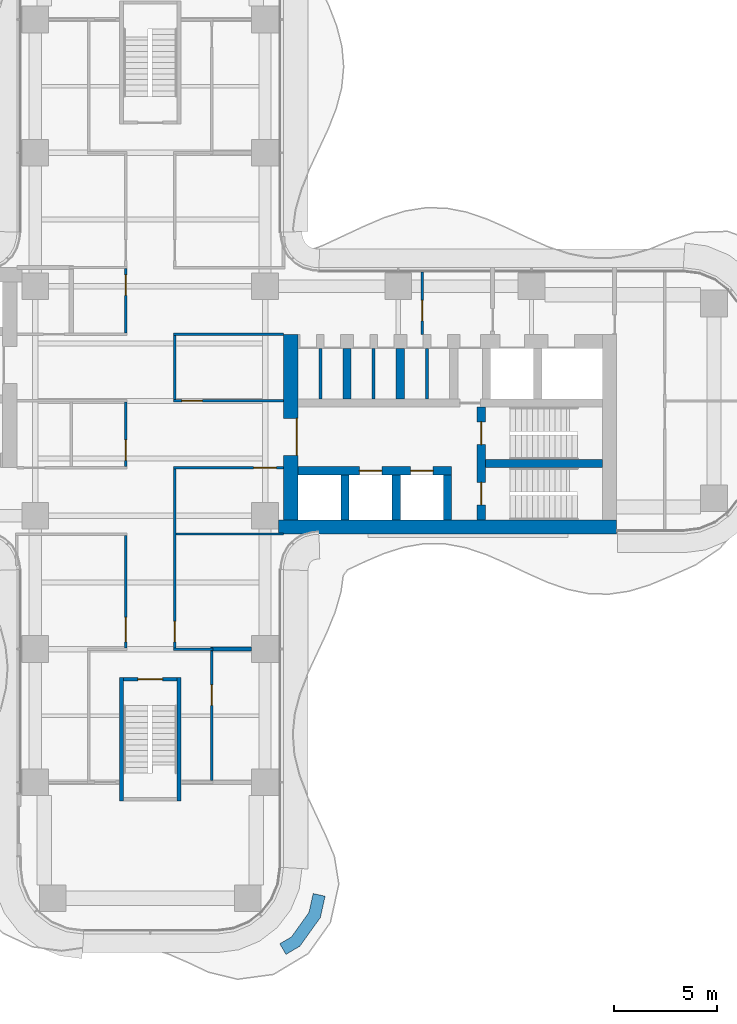
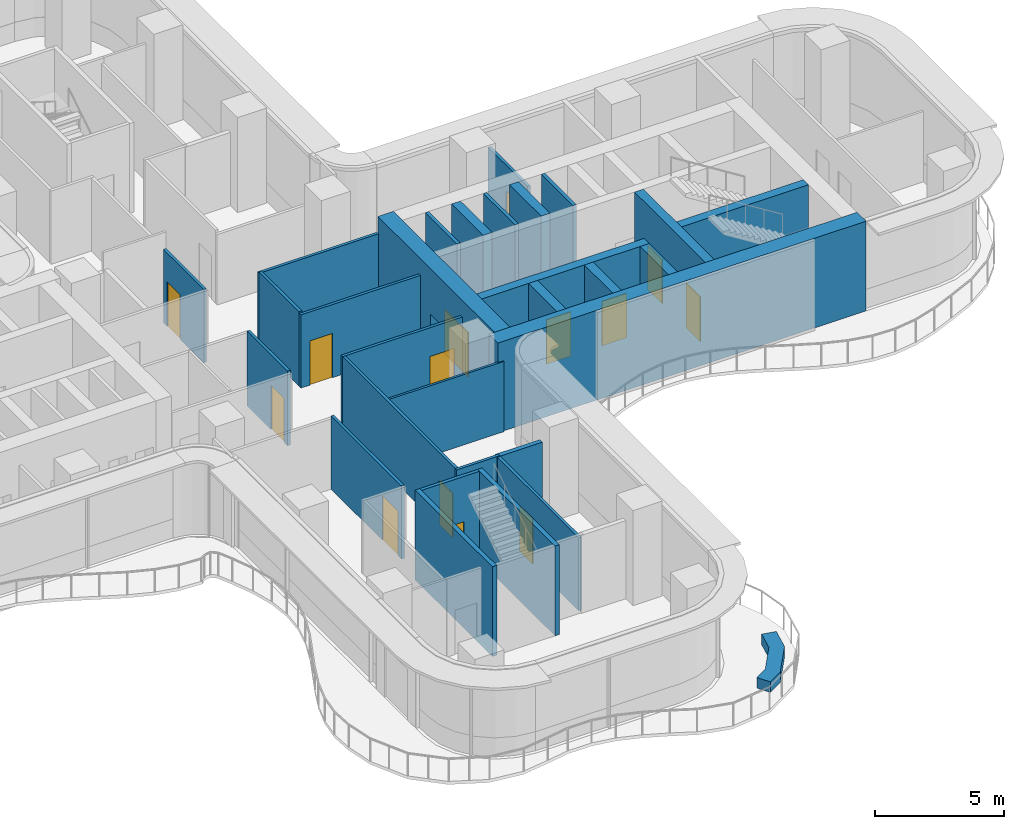
# One storey, part 16 of 20: 30 walls, 14 doors, 14 openings.
"""IFC4 building model written with IfcOpenShell, lengths in metres."""

from ifc_helpers import new_model, si_unit, direction, frame, frame_2d, origin, place, context, subcontext, project, spatial, polyline, rectangle, outline, extrude, source, transform, mapped, material, layer, layer_set, type_object, element, fill, save


model = new_model("IFC4")

# Units and contexts
model_context = context("Model", 3, precision=1e-05, world=origin(), true_north=direction((0.0, 1.0)))
body_context = subcontext(model_context, "Body", "Model", "MODEL_VIEW")
ifc_project = project(units=[si_unit("LENGTHUNIT", "METRE"), si_unit("AREAUNIT", "SQUARE_METRE"), si_unit("VOLUMEUNIT", "CUBIC_METRE"), si_unit("PLANEANGLEUNIT", "RADIAN"), si_unit("MASSUNIT", "GRAM", prefix="KILO")], contexts=[model_context])

# Site, building, storey
site_placement = place(None, origin())
site = spatial("IfcSite", under=ifc_project, at=site_placement, CompositionType="ELEMENT")
building_placement = place(site_placement, origin())
building = spatial("IfcBuilding", under=site, at=building_placement, Name="Trellis Farm Tower", CompositionType="ELEMENT")
storey_placement = place(building_placement, frame((0.0, 0.0, 142.5)))
storey = spatial("IfcBuildingStorey", under=building, at=storey_placement, Name="L30", CompositionType="ELEMENT", Elevation=142.5)

# Wall
ifc_material_1 = material(Name="Sandstone faced masonry planter", Category="masonry")
ifc_layer_1 = layer(ifc_material_1, 0.60009765625)
ifc_layer_set_1 = layer_set([ifc_layer_1], Name="PLANTER BED 600")
wall_type_1 = type_object("IfcWallType", Name="PLANTER BED 600", PredefinedType="USERDEFINED", material=ifc_layer_set_1)
wall_1_placement = place(storey_placement, origin())
element("IfcWall", 1, at=wall_1_placement, inside=storey, type_object=wall_type_1, Name="PLANTER bed", ObjectType="PLANTER", PredefinedType="USERDEFINED", context=body_context, shape_type="SweptSolid", body=[
    extrude(outline(polyline([(7.303955078125, -26.590087890625), (6.623779296875, -26.992919921875), (6.318115234375, -26.476806640625), (6.889404296875, -26.13818359375), (7.74169921875, -24.945556640625), (7.94677734375, -24.02392578125), (8.532470703125, -24.154296875), (8.30078125, -25.195068359375), (7.303955078125, -26.590087890625)])), origin(), (0.0, 0.0, 1.0), 0.5),
])

# Wall, opening, door
ifc_material_2 = material(Name="Concrete C70/85", Category="concrete")
ifc_layer_2 = layer(ifc_material_2, 0.699951171875)
ifc_layer_set_2 = layer_set([ifc_layer_2], Name="CORE OUTER WALL 700 CONCRETE C70/85")
wall_type_2 = type_object("IfcWallType", Name="CORE OUTER WALL 700 CONCRETE C70/85", PredefinedType="SHEAR", material=ifc_layer_set_2)
shared_shape_1 = source(origin(), body_context, "Body", "SweptSolid", [
    extrude(rectangle(XDim=9.050048828125, YDim=0.699951171875, at=frame_2d((4.52490234375, 0.0))), origin(), (0.0, 0.0, 1.0), 4.25),
])
wall_2_placement = place(storey_placement, frame((6.85009765625, -5.800048828125, 0.0), z_axis=(0.0, 0.0, 1.0), x_axis=(0.0, 1.0, 0.0)))
wall_2 = element("IfcWall", 2, at=wall_2_placement, inside=storey, type_object=wall_type_2, Name="Core wall", PredefinedType="SHEAR", context=body_context, shape_type="MappedRepresentation", body=[
    mapped(shared_shape_1, transform((0.0, 0.0, 0.0))),
])
shared_shape_2 = source(origin(), body_context, "Body", "SweptSolid", [
    extrude(rectangle(XDim=1.800048828125, YDim=2.10009765625, at=frame_2d((0.89990234375, 1.050048828125))), frame((0.0, 0.360107421875, 0.0), z_axis=(0.0, -1.0, 0.0), x_axis=(1.0, 0.0, 0.0)), (0.0, 0.0, 1.0), 0.72021484375),
])
opening_1_placement = place(wall_2_placement, frame((3.14990234375, 0.0, 0.0)))
opening_1 = element("IfcOpeningElement", 3, at=opening_1_placement, cuts=wall_2, Name="Opening DC1", PredefinedType="OPENING", context=body_context, shape_type="MappedRepresentation", body=[
    mapped(shared_shape_2, transform((0.0, 0.0, 0.0))),
])
ifc_material_3 = material(Name="Steel", Category="steel")
door_type_1 = type_object("IfcDoorType", Name="CORE FIRE DOOR DOUBLE 1800 X 2100", OperationType="DOUBLE_DOOR_SINGLE_SWING", PredefinedType="DOOR", material=ifc_material_3)
shared_shape_3 = source(origin(), body_context, "Body", "SweptSolid", [
    extrude(rectangle(XDim=1.800048828125, YDim=2.10009765625, at=frame_2d((0.89990234375, 1.050048828125))), frame((0.0, -0.27490234375, 0.0), z_axis=(0.0, -1.0, 0.0), x_axis=(1.0, 0.0, 0.0)), (0.0, 0.0, 1.0), 0.050048828125),
])
door_1_placement = place(opening_1_placement, origin())
door_1 = element("IfcDoor", 4, at=door_1_placement, inside=storey, type_object=door_type_1, Name="Core door", OperationType="DOUBLE_DOOR_SINGLE_SWING", OverallHeight=2.10009765625, OverallWidth=1.800048828125, PredefinedType="DOOR", context=body_context, shape_type="MappedRepresentation", body=[
    mapped(shared_shape_3, transform((0.0, 0.0, 0.0))),
])
fill(opening_1, door_1)

# Walls
ifc_layer_3 = layer(ifc_material_2, 0.39990234375)
ifc_layer_set_3 = layer_set([ifc_layer_3], Name="CORE INNER WALL 400 CONCRETE C70/85")
wall_type_3 = type_object("IfcWallType", Name="CORE INNER WALL 400 CONCRETE C70/85", PredefinedType="SHEAR", material=ifc_layer_set_3)
shared_shape_4 = source(origin(), body_context, "Body", "SweptSolid", [
    extrude(rectangle(XDim=2.199951171875, YDim=0.39990234375, at=frame_2d((1.10009765625, 0.0))), origin(), (0.0, 0.0, 1.0), 4.25),
])
for number, where, z_axis, x_axis, name in (
    (5, (9.5, -5.800048828125, 0.0), (0.0, 0.0, 1.0), (0.0, 1.0, 0.0), "Core wall"),
    (6, (12.0, -5.800048828125, 0.0), (0.0, 0.0, 1.0), (0.0, 1.0, 0.0), "Core wall"),
    (7, (14.5, -5.800048828125, 0.0), (0.0, 0.0, 1.0), (0.0, 1.0, 0.0), "Core wall"),
):
    element("IfcWall", number, at=place(storey_placement, frame(where, z_axis=z_axis, x_axis=x_axis)), inside=storey, type_object=wall_type_3, Name=name, PredefinedType="SHEAR", context=body_context, shape_type="MappedRepresentation", body=[
        mapped(shared_shape_4, transform((0.0, 0.0, 0.0))),
    ])
shared_shape_5 = source(origin(), body_context, "Body", "SweptSolid", [
    extrude(rectangle(XDim=2.449951171875, YDim=0.39990234375, at=frame_2d((1.22509765625, 0.0))), origin(), (0.0, 0.0, 1.0), 4.25),
])
for number, where, z_axis, x_axis, name in (
    (8, (9.60009765625, 0.10009765625, 0.0), (0.0, 0.0, 1.0), (0.0, 1.0, 0.0), "Core wall"),
    (9, (12.199951171875, 0.10009765625, 0.0), (0.0, 0.0, 1.0), (0.0, 1.0, 0.0), "Core wall"),
):
    element("IfcWall", number, at=place(storey_placement, frame(where, z_axis=z_axis, x_axis=x_axis)), inside=storey, type_object=wall_type_3, Name=name, PredefinedType="SHEAR", context=body_context, shape_type="MappedRepresentation", body=[
        mapped(shared_shape_5, transform((0.0, 0.0, 0.0))),
    ])

# Wall, openings, doors
shared_shape_6 = source(origin(), body_context, "Body", "SweptSolid", [
    extrude(rectangle(XDim=7.5, YDim=0.39990234375, at=frame_2d((3.75, 0.0))), origin(), (0.0, 0.0, 1.0), 4.25),
])
wall_3_placement = place(storey_placement, frame((7.199951171875, -3.39990234375, 0.0), z_axis=(0.0, 0.0, 1.0), x_axis=(1.0, 0.0, 0.0)))
wall_3 = element("IfcWall", 10, at=wall_3_placement, inside=storey, type_object=wall_type_3, Name="Core wall", PredefinedType="SHEAR", context=body_context, shape_type="MappedRepresentation", body=[
    mapped(shared_shape_6, transform((0.0, 0.0, 0.0))),
])
shared_shape_7 = source(origin(), body_context, "Body", "SweptSolid", [
    extrude(rectangle(XDim=1.10009765625, YDim=2.10009765625, at=frame_2d((0.550048828125, 1.050048828125))), frame((0.0, 0.2099609375, 0.0), z_axis=(0.0, -1.0, 0.0), x_axis=(1.0, 0.0, 0.0)), (0.0, 0.0, 1.0), 0.419921875),
])
opening_2_placement = place(wall_3_placement, frame((3.0, 0.0, 0.0)))
opening_2 = element("IfcOpeningElement", 11, at=opening_2_placement, cuts=wall_3, Name="Opening LD2", PredefinedType="OPENING", context=body_context, shape_type="MappedRepresentation", body=[
    mapped(shared_shape_7, transform((0.0, 0.0, 0.0))),
])
opening_3_placement = place(wall_3_placement, frame((5.5, 0.0, 0.0)))
opening_3 = element("IfcOpeningElement", 12, at=opening_3_placement, cuts=wall_3, Name="Opening LD3", PredefinedType="OPENING", context=body_context, shape_type="MappedRepresentation", body=[
    mapped(shared_shape_7, transform((0.0, 0.0, 0.0))),
])
ifc_material_4 = material(Name="Stainless steel", Category="steel")
door_type_2 = type_object("IfcDoorType", Name="LIFT LANDING DOOR 1100 X 2100", OperationType="DOUBLE_DOOR_SLIDING", PredefinedType="DOOR", material=ifc_material_4)
shared_shape_8 = source(origin(), body_context, "Body", "SweptSolid", [
    extrude(rectangle(XDim=1.10009765625, YDim=2.10009765625, at=frame_2d((0.550048828125, 1.050048828125))), frame((0.0, 0.02490234375, 0.0), z_axis=(0.0, -1.0, 0.0), x_axis=(1.0, 0.0, 0.0)), (0.0, 0.0, 1.0), 0.050048828125),
])
door_2_placement = place(opening_2_placement, origin())
door_2 = element("IfcDoor", 13, at=door_2_placement, inside=storey, type_object=door_type_2, Name="Lift landing door", OperationType="DOUBLE_DOOR_SLIDING", OverallHeight=2.10009765625, OverallWidth=1.10009765625, PredefinedType="DOOR", context=body_context, shape_type="MappedRepresentation", body=[
    mapped(shared_shape_8, transform((0.0, 0.0, 0.0))),
])
fill(opening_2, door_2)
door_3_placement = place(opening_3_placement, origin())
door_3 = element("IfcDoor", 14, at=door_3_placement, inside=storey, type_object=door_type_2, Name="Lift landing door", OperationType="DOUBLE_DOOR_SLIDING", OverallHeight=2.10009765625, OverallWidth=1.10009765625, PredefinedType="DOOR", context=body_context, shape_type="MappedRepresentation", body=[
    mapped(shared_shape_8, transform((0.0, 0.0, 0.0))),
])
fill(opening_3, door_3)

shared_shape_9 = source(origin(), body_context, "Body", "SweptSolid", [
    extrude(rectangle(XDim=5.5, YDim=0.39990234375, at=frame_2d((2.75, 0.0))), origin(), (0.0, 0.0, 1.0), 4.25),
])
wall_4_placement = place(storey_placement, frame((16.14990234375, -5.800048828125, 0.0), z_axis=(0.0, 0.0, 1.0), x_axis=(0.0, 1.0, 0.0)))
wall_4 = element("IfcWall", 15, at=wall_4_placement, inside=storey, type_object=wall_type_3, Name="Core wall", PredefinedType="SHEAR", context=body_context, shape_type="MappedRepresentation", body=[
    mapped(shared_shape_9, transform((0.0, 0.0, 0.0))),
])
opening_4_placement = place(wall_4_placement, frame((0.72509765625, 0.0, 0.0)))
opening_4 = element("IfcOpeningElement", 16, at=opening_4_placement, cuts=wall_4, Name="Opening DC2", PredefinedType="OPENING", context=body_context, shape_type="MappedRepresentation", body=[
    mapped(shared_shape_7, transform((0.0, 0.0, 0.0))),
])
opening_5_placement = place(wall_4_placement, frame((3.675048828125, 0.0, 0.0)))
opening_5 = element("IfcOpeningElement", 17, at=opening_5_placement, cuts=wall_4, Name="Opening DC3", PredefinedType="OPENING", context=body_context, shape_type="MappedRepresentation", body=[
    mapped(shared_shape_7, transform((0.0, 0.0, 0.0))),
])
door_type_3 = type_object("IfcDoorType", Name="CORE FIRE DOOR 1100 X 2100", OperationType="NOTDEFINED", PredefinedType="DOOR", material=ifc_material_3)
door_4_placement = place(opening_4_placement, origin())
door_4 = element("IfcDoor", 18, at=door_4_placement, inside=storey, type_object=door_type_3, Name="Core door", OperationType="SINGLE_SWING_RIGHT", OverallHeight=2.10009765625, OverallWidth=1.10009765625, PredefinedType="DOOR", context=body_context, shape_type="MappedRepresentation", body=[
    mapped(shared_shape_8, transform((0.0, 0.0, 0.0))),
])
fill(opening_4, door_4)
door_5_placement = place(opening_5_placement, origin())
door_5 = element("IfcDoor", 19, at=door_5_placement, inside=storey, type_object=door_type_3, Name="Core door", OperationType="SINGLE_SWING_LEFT", OverallHeight=2.10009765625, OverallWidth=1.10009765625, PredefinedType="DOOR", context=body_context, shape_type="MappedRepresentation", body=[
    mapped(shared_shape_8, transform((0.0, 0.0, 0.0))),
])
fill(opening_5, door_5)

# Walls
shared_shape_10 = source(origin(), body_context, "Body", "SweptSolid", [
    extrude(rectangle(XDim=5.699951171875, YDim=0.39990234375, at=frame_2d((2.85009765625, 0.0))), origin(), (0.0, 0.0, 1.0), 4.25),
])
wall_5_placement = place(storey_placement, frame((16.35009765625, -3.050048828125, 0.0), z_axis=(0.0, 0.0, 1.0), x_axis=(1.0, 0.0, 0.0)))
element("IfcWall", 20, at=wall_5_placement, inside=storey, type_object=wall_type_3, Name="Core wall", PredefinedType="SHEAR", context=body_context, shape_type="MappedRepresentation", body=[
    mapped(shared_shape_10, transform((0.0, 0.0, 0.0))),
])
ifc_material_5 = material(Name="Masonry blockwork", Category="masonry")
ifc_layer_4 = layer(ifc_material_5, 0.14990234375)
ifc_layer_set_4 = layer_set([ifc_layer_4], Name="CORE PARTITION 150 BLOCKWORK")
wall_type_4 = type_object("IfcWallType", Name="CORE PARTITION 150 BLOCKWORK", PredefinedType="PARTITIONING", material=ifc_layer_set_4)
shared_shape_11 = source(origin(), body_context, "Body", "SweptSolid", [
    extrude(rectangle(XDim=2.449951171875, YDim=0.14990234375, at=frame_2d((1.22509765625, 0.0))), origin(), (0.0, 0.0, 1.0), 4.25),
])
for number, where, z_axis, x_axis, name in (
    (21, (8.300048828125, 0.10009765625, 0.0), (0.0, 0.0, 1.0), (0.0, 1.0, 0.0), "Core room partition"),
    (22, (10.89990234375, 0.10009765625, 0.0), (0.0, 0.0, 1.0), (0.0, 1.0, 0.0), "Core room partition"),
    (23, (13.5, 0.10009765625, 0.0), (0.0, 0.0, 1.0), (0.0, 1.0, 0.0), "Core room partition"),
):
    element("IfcWall", number, at=place(storey_placement, frame(where, z_axis=z_axis, x_axis=x_axis)), inside=storey, type_object=wall_type_4, Name=name, PredefinedType="PARTITIONING", context=body_context, shape_type="MappedRepresentation", body=[
        mapped(shared_shape_11, transform((0.0, 0.0, 0.0))),
    ])
shared_shape_12 = source(origin(), body_context, "Body", "SweptSolid", [
    extrude(rectangle(XDim=16.5, YDim=0.699951171875, at=frame_2d((8.25, 0.0))), origin(), (0.0, 0.0, 1.0), 4.25),
])
wall_6_placement = place(storey_placement, frame((6.25, -6.14990234375, 0.0), z_axis=(0.0, 0.0, 1.0), x_axis=(1.0, 0.0, 0.0)))
element("IfcWall", 24, at=wall_6_placement, inside=storey, type_object=wall_type_2, Name="Core wall", PredefinedType="SHEAR", context=body_context, shape_type="MappedRepresentation", body=[
    mapped(shared_shape_12, transform((0.0, 0.0, 0.0))),
])
ifc_layer_5 = layer(ifc_material_2, 0.199951171875)
ifc_layer_set_5 = layer_set([ifc_layer_5], Name="CORE STAIR ENCLOSURE WALL 200 CONCRETE C70/85")
wall_type_5 = type_object("IfcWallType", Name="CORE STAIR ENCLOSURE WALL 200 CONCRETE C70/85", PredefinedType="SHEAR", material=ifc_layer_set_5)
shared_shape_13 = source(origin(), body_context, "Body", "SweptSolid", [
    extrude(rectangle(XDim=6.0, YDim=0.199951171875, at=frame_2d((3.0, 0.0))), origin(), (0.0, 0.0, 1.0), 4.25),
])
for number, where, z_axis, x_axis, name in (
    (25, (1.39990234375, -13.5, 0.0), (0.0, 0.0, 1.0), (0.0, -1.0, 0.0), "Stair enclosure wall"),
    (26, (-1.39990234375, -13.5, 0.0), (0.0, 0.0, 1.0), (0.0, -1.0, 0.0), "Stair enclosure wall"),
):
    element("IfcWall", number, at=place(storey_placement, frame(where, z_axis=z_axis, x_axis=x_axis)), inside=storey, type_object=wall_type_5, Name=name, PredefinedType="SHEAR", context=body_context, shape_type="MappedRepresentation", body=[
        mapped(shared_shape_13, transform((0.0, 0.0, 0.0))),
    ])

# Wall, opening, door
ifc_layer_6 = layer(ifc_material_2, 0.14990234375)
ifc_layer_set_6 = layer_set([ifc_layer_6], Name="CORE STAIR ENCLOSURE WALL 150 CONCRETE C70/85")
wall_type_6 = type_object("IfcWallType", Name="CORE STAIR ENCLOSURE WALL 150 CONCRETE C70/85", PredefinedType="SHEAR", material=ifc_layer_set_6)
shared_shape_14 = source(origin(), body_context, "Body", "SweptSolid", [
    extrude(rectangle(XDim=2.60009765625, YDim=0.14990234375, at=frame_2d((1.300048828125, 0.0))), origin(), (0.0, 0.0, 1.0), 4.25),
])
wall_7_placement = place(storey_placement, frame((1.300048828125, -13.574951171875, 0.0), z_axis=(0.0, 0.0, 1.0), x_axis=(-1.0, 0.0, 0.0)))
wall_7 = element("IfcWall", 27, at=wall_7_placement, inside=storey, type_object=wall_type_6, Name="Stair enclosure wall", PredefinedType="SHEAR", context=body_context, shape_type="MappedRepresentation", body=[
    mapped(shared_shape_14, transform((0.0, 0.0, 0.0))),
])
shared_shape_15 = source(origin(), body_context, "Body", "SweptSolid", [
    extrude(rectangle(XDim=1.199951171875, YDim=2.10009765625, at=frame_2d((0.60009765625, 1.050048828125))), frame((0.0, 0.0849609375, 0.0), z_axis=(0.0, -1.0, 0.0), x_axis=(1.0, 0.0, 0.0)), (0.0, 0.0, 1.0), 0.169921875),
])
opening_6_placement = place(wall_7_placement, frame((0.699951171875, 0.0, 0.0)))
opening_6 = element("IfcOpeningElement", 28, at=opening_6_placement, cuts=wall_7, Name="Opening DC174", PredefinedType="OPENING", context=body_context, shape_type="MappedRepresentation", body=[
    mapped(shared_shape_15, transform((0.0, 0.0, 0.0))),
])
door_type_4 = type_object("IfcDoorType", Name="CORE FIRE DOOR 1200 X 2100", OperationType="NOTDEFINED", PredefinedType="DOOR", material=ifc_material_3)
shared_shape_16 = source(origin(), body_context, "Body", "SweptSolid", [
    extrude(rectangle(XDim=1.199951171875, YDim=2.10009765625, at=frame_2d((0.60009765625, 1.050048828125))), frame((0.0, 0.02490234375, 0.0), z_axis=(0.0, -1.0, 0.0), x_axis=(1.0, 0.0, 0.0)), (0.0, 0.0, 1.0), 0.050048828125),
])
door_6_placement = place(opening_6_placement, origin())
door_6 = element("IfcDoor", 29, at=door_6_placement, inside=storey, type_object=door_type_4, Name="Core door", OperationType="SINGLE_SWING_RIGHT", OverallHeight=2.10009765625, OverallWidth=1.199951171875, PredefinedType="DOOR", context=body_context, shape_type="MappedRepresentation", body=[
    mapped(shared_shape_16, transform((0.0, 0.0, 0.0))),
])
fill(opening_6, door_6)

ifc_material_6 = material(Name="Plasterboard on steel studs, mineral wool", Category="steel")
ifc_layer_7 = layer(ifc_material_6, 0.125)
ifc_layer_set_7 = layer_set([ifc_layer_7], Name="PARTITION 125 STUD EI 60")
wall_type_7 = type_object("IfcWallType", Name="PARTITION 125 STUD EI 60", PredefinedType="PARTITIONING", material=ifc_layer_set_7)
shared_shape_17 = source(origin(), body_context, "Body", "SweptSolid", [
    extrude(rectangle(XDim=3.125, YDim=0.125, at=frame_2d((1.5625, 0.0))), origin(), (0.0, 0.0, 1.0), 3.54638671875),
])
wall_8_placement = place(storey_placement, frame((-1.199951171875, -0.0625, 0.0), z_axis=(0.0, 0.0, 1.0), x_axis=(0.0, -1.0, 0.0)))
wall_8 = element("IfcWall", 30, at=wall_8_placement, inside=storey, type_object=wall_type_7, Name="Partition PW1", PredefinedType="PARTITIONING", context=body_context, shape_type="MappedRepresentation", body=[
    mapped(shared_shape_17, transform((0.0, 0.0, 0.0))),
])
shared_shape_18 = source(origin(), body_context, "Body", "SweptSolid", [
    extrude(rectangle(XDim=1.0, YDim=2.10009765625, at=frame_2d((0.5, 1.050048828125))), frame((0.0, 0.072509765625, 0.0), z_axis=(0.0, -1.0, 0.0), x_axis=(1.0, 0.0, 0.0)), (0.0, 0.0, 1.0), 0.14501953125),
])
opening_7_placement = place(wall_8_placement, frame((1.83740234375, 0.0, 0.0)))
opening_7 = element("IfcOpeningElement", 31, at=opening_7_placement, cuts=wall_8, Name="Opening D106", PredefinedType="OPENING", context=body_context, shape_type="MappedRepresentation", body=[
    mapped(shared_shape_18, transform((0.0, 0.0, 0.0))),
])
ifc_material_7 = material(Name="Fire-rated timber door leaf in a hollow metal frame", Category="wood")
door_type_5 = type_object("IfcDoorType", Name="DOOR 1000x2100 FD30S", OperationType="NOTDEFINED", PredefinedType="DOOR", material=ifc_material_7)
shared_shape_19 = source(origin(), body_context, "Body", "SweptSolid", [
    extrude(rectangle(XDim=1.0, YDim=2.10009765625, at=frame_2d((0.5, 1.050048828125))), frame((0.0, 0.02490234375, 0.0), z_axis=(0.0, -1.0, 0.0), x_axis=(1.0, 0.0, 0.0)), (0.0, 0.0, 1.0), 0.050048828125),
])
door_7_placement = place(opening_7_placement, origin())
door_7 = element("IfcDoor", 32, at=door_7_placement, inside=storey, type_object=door_type_5, Name="Door D106", OperationType="SINGLE_SWING_RIGHT", OverallHeight=2.10009765625, OverallWidth=1.0, PredefinedType="DOOR", context=body_context, shape_type="MappedRepresentation", body=[
    mapped(shared_shape_19, transform((0.0, 0.0, 0.0))),
])
fill(opening_7, door_7)

# Wall
wall_9_placement = place(storey_placement, frame((1.199951171875, 3.1875, 0.0), z_axis=(0.0, 0.0, 1.0), x_axis=(0.0, -1.0, 0.0)))
element("IfcWall", 33, at=wall_9_placement, inside=storey, type_object=wall_type_7, Name="Partition PW1", PredefinedType="PARTITIONING", context=body_context, shape_type="MappedRepresentation", body=[
    mapped(shared_shape_17, transform((0.0, 0.0, 0.0))),
])

# Wall, opening, door
shared_shape_20 = source(origin(), body_context, "Body", "SweptSolid", [
    extrude(rectangle(XDim=5.47509765625, YDim=0.125, at=frame_2d((2.737548828125, 0.0))), origin(), (0.0, 0.0, 1.0), 3.4677734375),
])
wall_10_placement = place(storey_placement, frame((-1.199951171875, -12.03759765625, 0.0), z_axis=(0.0, 0.0, 1.0), x_axis=(0.0, 1.0, 0.0)))
wall_10 = element("IfcWall", 34, at=wall_10_placement, inside=storey, type_object=wall_type_7, Name="Partition PW1", PredefinedType="PARTITIONING", context=body_context, shape_type="MappedRepresentation", body=[
    mapped(shared_shape_20, transform((0.0, 0.0, 0.0))),
])
shared_shape_21 = source(origin(), body_context, "Body", "SweptSolid", [
    extrude(rectangle(XDim=1.199951171875, YDim=2.10009765625, at=frame_2d((0.60009765625, 1.050048828125))), frame((0.0, 0.072509765625, 0.0), z_axis=(0.0, -1.0, 0.0), x_axis=(1.0, 0.0, 0.0)), (0.0, 0.0, 1.0), 0.14501953125),
])
opening_8_placement = place(wall_10_placement, frame((0.28759765625, 0.0, 0.0)))
opening_8 = element("IfcOpeningElement", 35, at=opening_8_placement, cuts=wall_10, Name="Opening D601", PredefinedType="OPENING", context=body_context, shape_type="MappedRepresentation", body=[
    mapped(shared_shape_21, transform((0.0, 0.0, 0.0))),
])
door_type_6 = type_object("IfcDoorType", Name="DOOR 1200x2100 FD30S", OperationType="NOTDEFINED", PredefinedType="DOOR", material=ifc_material_7)
door_8_placement = place(opening_8_placement, origin())
door_8 = element("IfcDoor", 36, at=door_8_placement, inside=storey, type_object=door_type_6, Name="Door D601", OperationType="SINGLE_SWING_LEFT", OverallHeight=2.10009765625, OverallWidth=1.199951171875, PredefinedType="DOOR", context=body_context, shape_type="MappedRepresentation", body=[
    mapped(shared_shape_16, transform((0.0, 0.0, 0.0))),
])
fill(opening_8, door_8)

# Wall
shared_shape_22 = source(origin(), body_context, "Body", "SweptSolid", [
    extrude(rectangle(XDim=1.925048828125, YDim=0.125, at=frame_2d((0.96240234375, 0.0))), origin(), (0.0, 0.0, 1.0), 3.4677734375),
])
wall_11_placement = place(storey_placement, frame((1.137451171875, -12.10009765625, 0.0), z_axis=(0.0, 0.0, 1.0), x_axis=(1.0, 0.0, 0.0)))
element("IfcWall", 37, at=wall_11_placement, inside=storey, type_object=wall_type_7, Name="Partition PW1", PredefinedType="PARTITIONING", context=body_context, shape_type="MappedRepresentation", body=[
    mapped(shared_shape_22, transform((0.0, 0.0, 0.0))),
])

# Wall, opening, door
shared_shape_23 = source(origin(), body_context, "Body", "SweptSolid", [
    extrude(rectangle(XDim=5.362548828125, YDim=0.125, at=frame_2d((2.68115234375, 0.0))), origin(), (0.0, 0.0, 1.0), 3.4677734375),
])
wall_12_placement = place(storey_placement, frame((6.5, -3.25, 0.0), z_axis=(0.0, 0.0, 1.0), x_axis=(-1.0, 0.0, 0.0)))
wall_12 = element("IfcWall", 38, at=wall_12_placement, inside=storey, type_object=wall_type_7, Name="Partition PW1", PredefinedType="PARTITIONING", context=body_context, shape_type="MappedRepresentation", body=[
    mapped(shared_shape_23, transform((0.0, 0.0, 0.0))),
])
shared_shape_24 = source(origin(), body_context, "Body", "SweptSolid", [
    extrude(rectangle(XDim=1.10009765625, YDim=2.10009765625, at=frame_2d((0.550048828125, 1.050048828125))), frame((0.0, 0.072509765625, 0.0), z_axis=(0.0, -1.0, 0.0), x_axis=(1.0, 0.0, 0.0)), (0.0, 0.0, 1.0), 0.14501953125),
])
opening_9_placement = place(wall_12_placement, frame((0.35009765625, 0.0, 0.0)))
opening_9 = element("IfcOpeningElement", 39, at=opening_9_placement, cuts=wall_12, Name="Opening D501", PredefinedType="OPENING", context=body_context, shape_type="MappedRepresentation", body=[
    mapped(shared_shape_24, transform((0.0, 0.0, 0.0))),
])
door_type_7 = type_object("IfcDoorType", Name="DOOR 1100x2100 FD30S", OperationType="NOTDEFINED", PredefinedType="DOOR", material=ifc_material_7)
door_9_placement = place(opening_9_placement, origin())
door_9 = element("IfcDoor", 40, at=door_9_placement, inside=storey, type_object=door_type_7, Name="Door D501", OperationType="SINGLE_SWING_LEFT", OverallHeight=2.10009765625, OverallWidth=1.10009765625, PredefinedType="DOOR", context=body_context, shape_type="MappedRepresentation", body=[
    mapped(shared_shape_8, transform((0.0, 0.0, 0.0))),
])
fill(opening_9, door_9)

wall_13_placement = place(storey_placement, frame((6.5, 0.0, 0.0), z_axis=(0.0, 0.0, 1.0), x_axis=(-1.0, 0.0, 0.0)))
wall_13 = element("IfcWall", 41, at=wall_13_placement, inside=storey, type_object=wall_type_7, Name="Partition PW1", PredefinedType="PARTITIONING", context=body_context, shape_type="MappedRepresentation", body=[
    mapped(shared_shape_23, transform((0.0, 0.0, 0.0))),
])
opening_10_placement = place(wall_13_placement, frame((3.949951171875, 0.0, 0.0)))
opening_10 = element("IfcOpeningElement", 42, at=opening_10_placement, cuts=wall_13, Name="Opening D108", PredefinedType="OPENING", context=body_context, shape_type="MappedRepresentation", body=[
    mapped(shared_shape_18, transform((0.0, 0.0, 0.0))),
])
door_10_placement = place(opening_10_placement, origin())
door_10 = element("IfcDoor", 43, at=door_10_placement, inside=storey, type_object=door_type_5, Name="Door D108", OperationType="SINGLE_SWING_RIGHT", OverallHeight=2.10009765625, OverallWidth=1.0, PredefinedType="DOOR", context=body_context, shape_type="MappedRepresentation", body=[
    mapped(shared_shape_19, transform((0.0, 0.0, 0.0))),
])
fill(opening_10, door_10)

# Wall
wall_14_placement = place(storey_placement, frame((1.137451171875, 3.25, 0.0), z_axis=(0.0, 0.0, 1.0), x_axis=(1.0, 0.0, 0.0)))
element("IfcWall", 44, at=wall_14_placement, inside=storey, type_object=wall_type_7, Name="Partition PW1", PredefinedType="PARTITIONING", context=body_context, shape_type="MappedRepresentation", body=[
    mapped(shared_shape_23, transform((0.0, 0.0, 0.0))),
])

# Wall, opening, door
shared_shape_25 = source(origin(), body_context, "Body", "SweptSolid", [
    extrude(rectangle(XDim=6.300048828125, YDim=0.125, at=frame_2d((3.14990234375, 0.0))), origin(), (0.0, 0.0, 1.0), 3.4677734375),
])
wall_15_placement = place(storey_placement, frame((3.0, -12.199951171875, 0.0), z_axis=(0.0, 0.0, 1.0), x_axis=(0.0, -1.0, 0.0)))
wall_15 = element("IfcWall", 45, at=wall_15_placement, inside=storey, type_object=wall_type_7, Name="Partition PW1", PredefinedType="PARTITIONING", context=body_context, shape_type="MappedRepresentation", body=[
    mapped(shared_shape_25, transform((0.0, 0.0, 0.0))),
])
opening_11_placement = place(wall_15_placement, frame((1.64990234375, 0.0, 0.0)))
opening_11 = element("IfcOpeningElement", 46, at=opening_11_placement, cuts=wall_15, Name="Opening D102", PredefinedType="OPENING", context=body_context, shape_type="MappedRepresentation", body=[
    mapped(shared_shape_18, transform((0.0, 0.0, 0.0))),
])
door_11_placement = place(opening_11_placement, origin())
door_11 = element("IfcDoor", 47, at=door_11_placement, inside=storey, type_object=door_type_5, Name="Door D102", OperationType="SINGLE_SWING_LEFT", OverallHeight=2.10009765625, OverallWidth=1.0, PredefinedType="DOOR", context=body_context, shape_type="MappedRepresentation", body=[
    mapped(shared_shape_19, transform((0.0, 0.0, 0.0))),
])
fill(opening_11, door_11)

shared_shape_26 = source(origin(), body_context, "Body", "SweptSolid", [
    extrude(rectangle(XDim=3.137451171875, YDim=0.125, at=frame_2d((1.56884765625, 0.0))), origin(), (0.0, 0.0, 1.0), 3.4677734375),
])
wall_16_placement = place(storey_placement, frame((-1.199951171875, 6.449951171875, 0.0), z_axis=(0.0, 0.0, 1.0), x_axis=(0.0, -1.0, 0.0)))
wall_16 = element("IfcWall", 48, at=wall_16_placement, inside=storey, type_object=wall_type_7, Name="Partition PW1", PredefinedType="PARTITIONING", context=body_context, shape_type="MappedRepresentation", body=[
    mapped(shared_shape_26, transform((0.0, 0.0, 0.0))),
])
opening_12_placement = place(wall_16_placement, frame((0.300048828125, 0.0, 0.0)))
opening_12 = element("IfcOpeningElement", 49, at=opening_12_placement, cuts=wall_16, Name="Opening D111", PredefinedType="OPENING", context=body_context, shape_type="MappedRepresentation", body=[
    mapped(shared_shape_18, transform((0.0, 0.0, 0.0))),
])
door_12_placement = place(opening_12_placement, origin())
door_12 = element("IfcDoor", 50, at=door_12_placement, inside=storey, type_object=door_type_5, Name="Door D111", OperationType="SINGLE_SWING_LEFT", OverallHeight=2.10009765625, OverallWidth=1.0, PredefinedType="DOOR", context=body_context, shape_type="MappedRepresentation", body=[
    mapped(shared_shape_19, transform((0.0, 0.0, 0.0))),
])
fill(opening_12, door_12)

shared_shape_27 = source(origin(), body_context, "Body", "SweptSolid", [
    extrude(rectangle(XDim=8.72509765625, YDim=0.125, at=frame_2d((4.362548828125, 0.0))), origin(), (0.0, 0.0, 1.0), 3.4677734375),
])
wall_17_placement = place(storey_placement, frame((1.199951171875, -3.3125, 0.0), z_axis=(0.0, 0.0, 1.0), x_axis=(0.0, -1.0, 0.0)))
wall_17 = element("IfcWall", 51, at=wall_17_placement, inside=storey, type_object=wall_type_7, Name="Partition PW1", PredefinedType="PARTITIONING", context=body_context, shape_type="MappedRepresentation", body=[
    mapped(shared_shape_27, transform((0.0, 0.0, 0.0))),
])
opening_13_placement = place(wall_17_placement, frame((7.4375, 0.0, 0.0)))
opening_13 = element("IfcOpeningElement", 52, at=opening_13_placement, cuts=wall_17, Name="Opening D103", PredefinedType="OPENING", context=body_context, shape_type="MappedRepresentation", body=[
    mapped(shared_shape_18, transform((0.0, 0.0, 0.0))),
])
door_13_placement = place(opening_13_placement, origin())
door_13 = element("IfcDoor", 53, at=door_13_placement, inside=storey, type_object=door_type_5, Name="Door D103", OperationType="SINGLE_SWING_RIGHT", OverallHeight=2.10009765625, OverallWidth=1.0, PredefinedType="DOOR", context=body_context, shape_type="MappedRepresentation", body=[
    mapped(shared_shape_19, transform((0.0, 0.0, 0.0))),
])
fill(opening_13, door_13)

# Wall
ifc_material_8 = material(Name="Plasterboard on steel studs", Category="steel")
ifc_layer_8 = layer(ifc_material_8, 0.10009765625)
ifc_layer_set_8 = layer_set([ifc_layer_8], Name="PARTITION 100 STUD EI 30")
wall_type_8 = type_object("IfcWallType", Name="PARTITION 100 STUD EI 30", PredefinedType="PARTITIONING", material=ifc_layer_set_8)
shared_shape_28 = source(origin(), body_context, "Body", "SweptSolid", [
    extrude(rectangle(XDim=5.237548828125, YDim=0.10009765625, at=frame_2d((2.61865234375, 0.0))), origin(), (0.0, 0.0, 1.0), 3.330078125),
])
wall_18_placement = place(storey_placement, frame((1.262451171875, -6.5, 0.0), z_axis=(0.0, 0.0, 1.0), x_axis=(1.0, 0.0, 0.0)))
element("IfcWall", 54, at=wall_18_placement, inside=storey, type_object=wall_type_8, Name="Partition PW2", PredefinedType="PARTITIONING", context=body_context, shape_type="MappedRepresentation", body=[
    mapped(shared_shape_28, transform((0.0, 0.0, 0.0))),
])

# Wall, opening, door
shared_shape_29 = source(origin(), body_context, "Body", "SweptSolid", [
    extrude(rectangle(XDim=3.050048828125, YDim=0.125, at=frame_2d((1.52490234375, 0.0))), origin(), (0.0, 0.0, 1.0), 3.330078125),
])
wall_19_placement = place(storey_placement, frame((13.26708984375, 3.25, 0.0), z_axis=(0.0, 0.0, 1.0), x_axis=(0.0, 1.0, 0.0)))
wall_19 = element("IfcWall", 55, at=wall_19_placement, inside=storey, type_object=wall_type_7, Name="Partition PW1", PredefinedType="PARTITIONING", context=body_context, shape_type="MappedRepresentation", body=[
    mapped(shared_shape_29, transform((0.0, 0.0, 0.0))),
])
opening_14_placement = place(wall_19_placement, frame((0.64990234375, 0.0, 0.0)))
opening_14 = element("IfcOpeningElement", 56, at=opening_14_placement, cuts=wall_19, Name="Opening D303", PredefinedType="OPENING", context=body_context, shape_type="MappedRepresentation", body=[
    mapped(shared_shape_18, transform((0.0, 0.0, 0.0))),
])
door_type_8 = type_object("IfcDoorType", Name="DOOR 1000x2100 FD60", OperationType="NOTDEFINED", PredefinedType="DOOR", material=ifc_material_7)
door_14_placement = place(opening_14_placement, origin())
door_14 = element("IfcDoor", 57, at=door_14_placement, inside=storey, type_object=door_type_8, Name="Door D303", OperationType="SINGLE_SWING_LEFT", OverallHeight=2.10009765625, OverallWidth=1.0, PredefinedType="DOOR", context=body_context, shape_type="MappedRepresentation", body=[
    mapped(shared_shape_19, transform((0.0, 0.0, 0.0))),
])
fill(opening_14, door_14)

# Wall
ifc_material_9 = material(Name="Lightweight blockwork, plastered", Category="masonry")
ifc_layer_9 = layer(ifc_material_9, 0.199951171875)
ifc_layer_set_9 = layer_set([ifc_layer_9], Name="BLOCK WALL 200 EI 120")
wall_type_9 = type_object("IfcWallType", Name="BLOCK WALL 200 EI 120", PredefinedType="PARTITIONING", material=ifc_layer_set_9)
shared_shape_30 = source(origin(), body_context, "Body", "SweptSolid", [
    extrude(rectangle(XDim=2.012451171875, YDim=0.199951171875, at=frame_2d((1.00634765625, 0.0))), origin(), (0.0, 0.0, 1.0), 3.4677734375),
])
wall_20_placement = place(storey_placement, frame((2.9375, -12.10009765625, 0.0), z_axis=(0.0, 0.0, 1.0), x_axis=(1.0, 0.0, 0.0)))
element("IfcWall", 58, at=wall_20_placement, inside=storey, type_object=wall_type_9, Name="Partition PW3", PredefinedType="PARTITIONING", context=body_context, shape_type="MappedRepresentation", body=[
    mapped(shared_shape_30, transform((0.0, 0.0, 0.0))),
])

save(model, "model.ifc")
